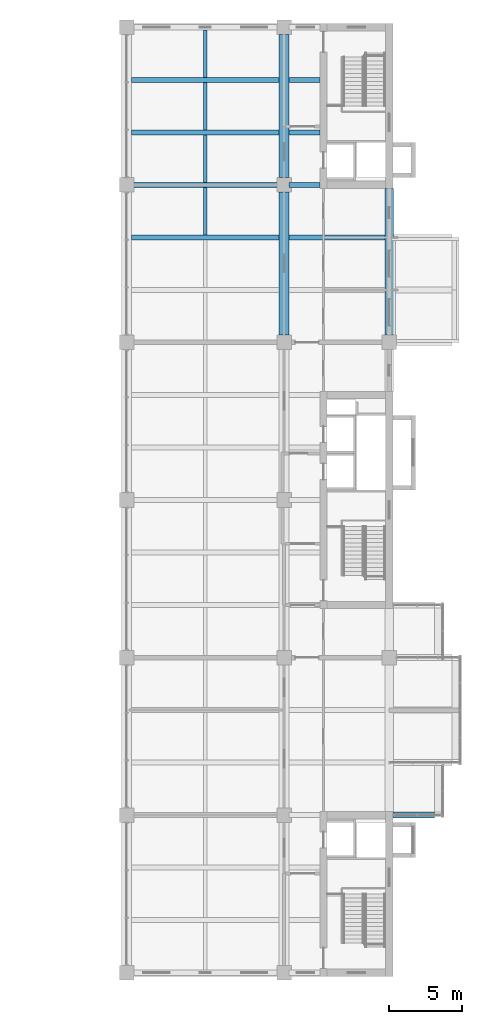
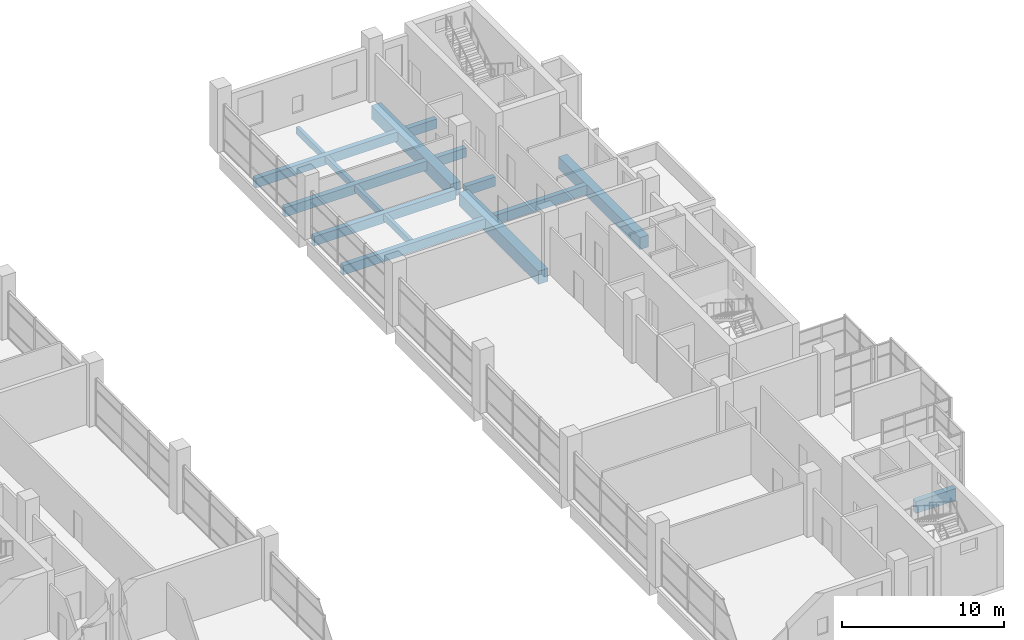
# One storey, part 12 of 30: 16 beams.
"""IFC4 building model written with IfcOpenShell, lengths in metres."""

from ifc_helpers import new_model, si_unit, direction, frame, origin, origin_2d, place, context, subcontext, project, spatial, rectangle, extrude, material, material_profile, profile_set, type_object, element, save


model = new_model("IFC4")

# Units and contexts
model_context = context("Model", 3, precision=1e-05, world=origin(), true_north=direction((0.0, 1.0)))
body_context = subcontext(model_context, "Body", "Model", "MODEL_VIEW")
ifc_project = project(units=[si_unit("LENGTHUNIT", "METRE"), si_unit("AREAUNIT", "SQUARE_METRE"), si_unit("VOLUMEUNIT", "CUBIC_METRE"), si_unit("PLANEANGLEUNIT", "RADIAN"), si_unit("MASSUNIT", "GRAM", prefix="KILO")], contexts=[model_context])

# Site, building, storey
site_placement = place(None, origin())
site = spatial("IfcSite", under=ifc_project, at=site_placement, CompositionType="ELEMENT")
building_placement = place(site_placement, origin())
building = spatial("IfcBuilding", under=site, at=building_placement, Name="Basin Gate Institute", CompositionType="ELEMENT")
storey_placement = place(building_placement, frame((0.0, 0.0, 36.60009765625)))
storey = spatial("IfcBuildingStorey", under=building, at=storey_placement, Name="L07", CompositionType="ELEMENT", Elevation=36.60009765625)

# Beams
ifc_material_1 = material(Name="Concrete 40 MPa", Category="concrete")
ifc_material_profile_1 = material_profile(ifc_material_1, rectangle(XDim=0.35009765625, YDim=0.699951171875, at=origin_2d()), Name="Beam B1 350 x 700")
ifc_profile_set_1 = profile_set([ifc_material_profile_1], Name="Concrete 40 MPa")
beam_type_1 = type_object("IfcBeamType", Name="Beam B1 R120", PredefinedType="BEAM", material=ifc_profile_set_1)
beam_1_placement = place(storey_placement, frame((111.25, 85.5, -0.60009765625), z_axis=(-1.0, 0.0, 0.0), x_axis=(0.0, -1.0, 0.0)))
element("IfcBeam", 1, at=beam_1_placement, inside=storey, type_object=beam_type_1, material=ifc_profile_set_1, Name="BEAM/L07/E/EW/15", PredefinedType="BEAM", context=body_context, shape_type="SweptSolid", body=[
    extrude(rectangle(XDim=0.35009765625, YDim=0.699951171875, at=origin_2d()), origin(), (0.0, 0.0, 1.0), 10.10009765625),
])
beam_2_placement = place(storey_placement, frame((118.5, 85.5, -0.60009765625), z_axis=(-1.0, 0.0, 0.0), x_axis=(0.0, -1.0, 0.0)))
element("IfcBeam", 2, at=beam_2_placement, inside=storey, type_object=beam_type_1, material=ifc_profile_set_1, Name="BEAM/L07/E/OUT/15", PredefinedType="BEAM", context=body_context, shape_type="SweptSolid", body=[
    extrude(rectangle(XDim=0.35009765625, YDim=0.699951171875, at=origin_2d()), origin(), (0.0, 0.0, 1.0), 6.550048828125),
])
beam_3_placement = place(storey_placement, frame((111.25, 89.10009765625, -0.60009765625), z_axis=(-1.0, 0.0, 0.0), x_axis=(0.0, -1.0, 0.0)))
element("IfcBeam", 3, at=beam_3_placement, inside=storey, type_object=beam_type_1, material=ifc_profile_set_1, Name="BEAM/L07/E/EW/16", PredefinedType="BEAM", context=body_context, shape_type="SweptSolid", body=[
    extrude(rectangle(XDim=0.35009765625, YDim=0.699951171875, at=origin_2d()), origin(), (0.0, 0.0, 1.0), 10.10009765625),
])
beam_4_placement = place(storey_placement, frame((114.050048828125, 89.10009765625, -0.60009765625), z_axis=(-1.0, 0.0, 0.0), x_axis=(0.0, -1.0, 0.0)))
element("IfcBeam", 4, at=beam_4_placement, inside=storey, type_object=beam_type_1, material=ifc_profile_set_1, Name="BEAM/L07/E/CORR/16", PredefinedType="BEAM", context=body_context, shape_type="SweptSolid", body=[
    extrude(rectangle(XDim=0.35009765625, YDim=0.699951171875, at=origin_2d()), origin(), (0.0, 0.0, 1.0), 2.10009765625),
])
beam_5_placement = place(storey_placement, frame((111.25, 92.699951171875, -0.60009765625), z_axis=(-1.0, 0.0, 0.0), x_axis=(0.0, -1.0, 0.0)))
element("IfcBeam", 5, at=beam_5_placement, inside=storey, type_object=beam_type_1, material=ifc_profile_set_1, Name="BEAM/L07/E/EW/17", PredefinedType="BEAM", context=body_context, shape_type="SweptSolid", body=[
    extrude(rectangle(XDim=0.35009765625, YDim=0.699951171875, at=origin_2d()), origin(), (0.0, 0.0, 1.0), 10.10009765625),
])
beam_6_placement = place(storey_placement, frame((114.050048828125, 92.699951171875, -0.60009765625), z_axis=(-1.0, 0.0, 0.0), x_axis=(0.0, -1.0, 0.0)))
element("IfcBeam", 6, at=beam_6_placement, inside=storey, type_object=beam_type_1, material=ifc_profile_set_1, Name="BEAM/L07/E/CORR/17", PredefinedType="BEAM", context=body_context, shape_type="SweptSolid", body=[
    extrude(rectangle(XDim=0.35009765625, YDim=0.699951171875, at=origin_2d()), origin(), (0.0, 0.0, 1.0), 2.10009765625),
])
beam_7_placement = place(storey_placement, frame((111.25, 96.300048828125, -0.60009765625), z_axis=(-1.0, 0.0, 0.0), x_axis=(0.0, -1.0, 0.0)))
element("IfcBeam", 7, at=beam_7_placement, inside=storey, type_object=beam_type_1, material=ifc_profile_set_1, Name="BEAM/L07/E/EW/18", PredefinedType="BEAM", context=body_context, shape_type="SweptSolid", body=[
    extrude(rectangle(XDim=0.35009765625, YDim=0.699951171875, at=origin_2d()), origin(), (0.0, 0.0, 1.0), 10.10009765625),
])
beam_8_placement = place(storey_placement, frame((114.050048828125, 96.300048828125, -0.60009765625), z_axis=(-1.0, 0.0, 0.0), x_axis=(0.0, -1.0, 0.0)))
element("IfcBeam", 8, at=beam_8_placement, inside=storey, type_object=beam_type_1, material=ifc_profile_set_1, Name="BEAM/L07/E/CORR/18", PredefinedType="BEAM", context=body_context, shape_type="SweptSolid", body=[
    extrude(rectangle(XDim=0.35009765625, YDim=0.699951171875, at=origin_2d()), origin(), (0.0, 0.0, 1.0), 2.10009765625),
])
ifc_material_2 = material(Name="Concrete 50 MPa", Category="concrete")
ifc_material_profile_2 = material_profile(ifc_material_2, rectangle(XDim=0.39990234375, YDim=0.89990234375, at=origin_2d()), Name="Cantilever beam B3 400 x 900")
ifc_profile_set_2 = profile_set([ifc_material_profile_2], Name="Concrete 50 MPa")
beam_type_2 = type_object("IfcBeamType", Name="Cantilever beam B3 R120", PredefinedType="BEAM", material=ifc_profile_set_2)
beam_9_placement = place(storey_placement, frame((121.89990234375, 45.89990234375, -0.7001953125), z_axis=(-1.0, 0.0, 0.0), x_axis=(0.0, -1.0, 0.0)))
element("IfcBeam", 9, at=beam_9_placement, inside=storey, type_object=beam_type_2, material=ifc_profile_set_2, Name="BEAM/L07/E/CANT/04", PredefinedType="BEAM", context=body_context, shape_type="SweptSolid", body=[
    extrude(rectangle(XDim=0.39990234375, YDim=0.89990234375, at=origin_2d()), origin(), (0.0, 0.0, 1.0), 2.849853515625),
])
ifc_material_3 = material(Name="Concrete 50 MPa", Category="concrete")
ifc_material_profile_3 = material_profile(ifc_material_3, rectangle(XDim=0.60009765625, YDim=0.89990234375, at=origin_2d()), Name="Edge beam EB1 600 x 900")
ifc_profile_set_3 = profile_set([ifc_material_profile_3], Name="Concrete 50 MPa")
beam_type_3 = type_object("IfcBeamType", Name="Edge beam EB1 R120", PredefinedType="SPANDREL", material=ifc_profile_set_3)
beam_10_placement = place(storey_placement, frame((118.800048828125, 78.800048828125, -0.7001953125), z_axis=(0.0, 1.0, 0.0), x_axis=(-1.0, 0.0, 0.0)))
element("IfcBeam", 10, at=beam_10_placement, inside=storey, type_object=beam_type_3, material=ifc_profile_set_3, Name="BEAM/L07/E/EDGE/4", PredefinedType="SPANDREL", context=body_context, shape_type="SweptSolid", body=[
    extrude(rectangle(XDim=0.60009765625, YDim=0.89990234375, at=origin_2d()), origin(), (0.0, 0.0, 1.0), 10.050048828125),
])
ifc_material_4 = material(Name="Concrete 50 MPa", Category="concrete")
ifc_material_profile_4 = material_profile(ifc_material_4, rectangle(XDim=0.699951171875, YDim=1.0, at=origin_2d()), Name="Girder G1 700 x 1000")
ifc_profile_set_4 = profile_set([ifc_material_profile_4], Name="Concrete 50 MPa")
beam_type_4 = type_object("IfcBeamType", Name="Girder G1 R120", PredefinedType="BEAM", material=ifc_profile_set_4)
beam_11_placement = place(storey_placement, frame((111.60009765625, 78.800048828125, -0.75), z_axis=(0.0, 1.0, 0.0), x_axis=(-1.0, 0.0, 0.0)))
element("IfcBeam", 11, at=beam_11_placement, inside=storey, type_object=beam_type_4, material=ifc_profile_set_4, Name="GIR/L07/E8/5", PredefinedType="BEAM", context=body_context, shape_type="SweptSolid", body=[
    extrude(rectangle(XDim=0.699951171875, YDim=1.0, at=origin_2d()), origin(), (0.0, 0.0, 1.0), 9.800048828125),
])
beam_12_placement = place(storey_placement, frame((111.60009765625, 89.60009765625, -0.75), z_axis=(0.0, 1.0, 0.0), x_axis=(-1.0, 0.0, 0.0)))
element("IfcBeam", 12, at=beam_12_placement, inside=storey, type_object=beam_type_4, material=ifc_profile_set_4, Name="GIR/L07/E8/6", PredefinedType="BEAM", context=body_context, shape_type="SweptSolid", body=[
    extrude(rectangle(XDim=0.699951171875, YDim=1.0, at=origin_2d()), origin(), (0.0, 0.0, 1.0), 9.7998046875),
])
ifc_material_5 = material(Name="Concrete 40 MPa", Category="concrete")
ifc_material_profile_5 = material_profile(ifc_material_5, rectangle(XDim=0.25, YDim=0.5, at=origin_2d()), Name="Rib R1 250 x 500")
ifc_profile_set_5 = profile_set([ifc_material_profile_5], Name="Concrete 40 MPa")
beam_type_5 = type_object("IfcBeamType", Name="Rib R1 R120", PredefinedType="JOIST", material=ifc_profile_set_5)
for number, where, z_axis, x_axis, name in (
    (13, (106.199951171875, 85.675048828125, -0.5), (0.0, 1.0, 0.0), (-1.0, 0.0, 0.0), "BEAM/L07/E/RIB/15"),
    (14, (106.199951171875, 89.27490234375, -0.5), (0.0, 1.0, 0.0), (-1.0, 0.0, 0.0), "BEAM/L07/E/RIB/16"),
    (15, (106.199951171875, 92.875, -0.5), (0.0, 1.0, 0.0), (-1.0, 0.0, 0.0), "BEAM/L07/E/RIB/17"),
    (16, (106.199951171875, 96.47509765625, -0.5), (0.0, 1.0, 0.0), (-1.0, 0.0, 0.0), "BEAM/L07/E/RIB/18"),
):
    element("IfcBeam", number, at=place(storey_placement, frame(where, z_axis=z_axis, x_axis=x_axis)), inside=storey, type_object=beam_type_5, material=ifc_profile_set_5, Name=name, PredefinedType="JOIST", context=body_context, shape_type="SweptSolid", body=[
        extrude(rectangle(XDim=0.25, YDim=0.5, at=origin_2d()), origin(), (0.0, 0.0, 1.0), 3.25),
    ])

save(model, "model.ifc")
